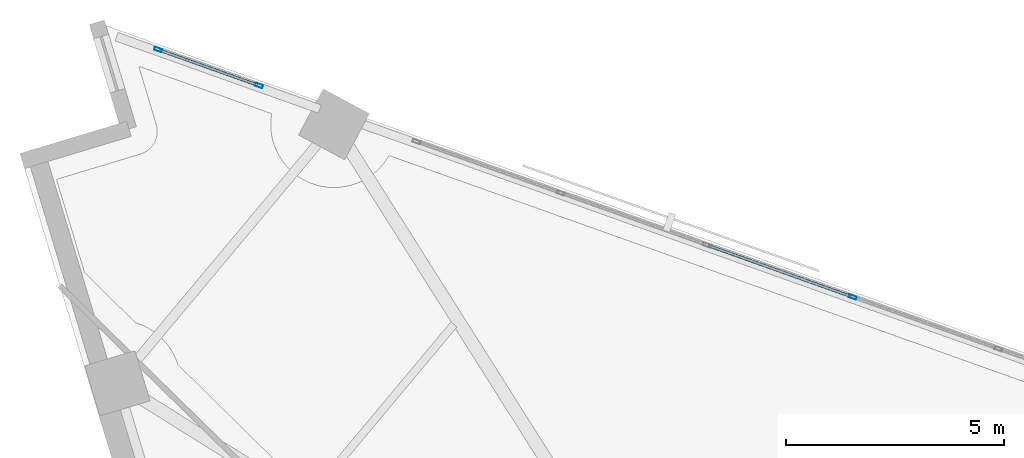
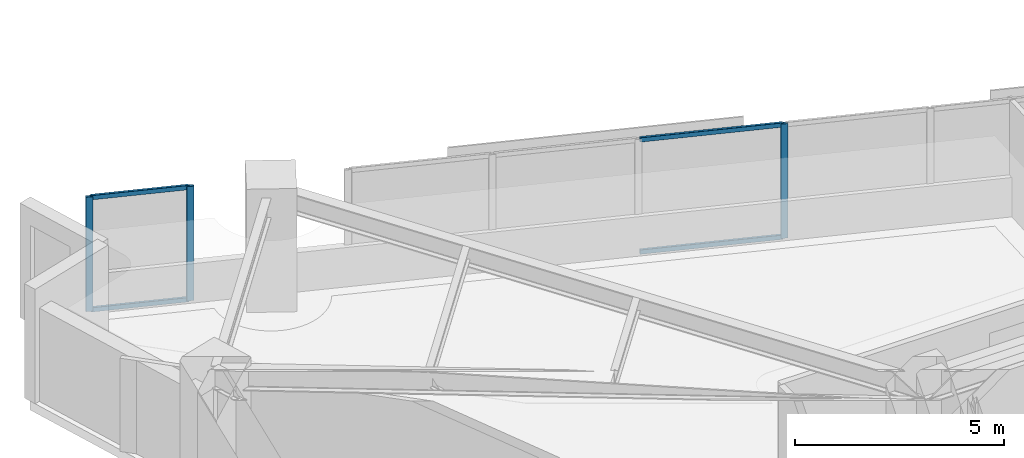
# One storey, part 7 of 17: 7 members, 2 elements without a shape of their own.
"""IFC4 building model written with IfcOpenShell, lengths in metres."""

from ifc_helpers import new_model, si_unit, direction, frame, origin, origin_2d, place, context, subcontext, project, spatial, hollow_rectangle, extrude, material, material_profile, profile_set, type_object, element, aggregate, save


model = new_model("IFC4")

# Units and contexts
model_context = context("Model", 3, precision=1e-05, world=origin(), true_north=direction((0.0, 1.0)))
body_context = subcontext(model_context, "Body", "Model", "MODEL_VIEW")
ifc_project = project(units=[si_unit("LENGTHUNIT", "METRE"), si_unit("AREAUNIT", "SQUARE_METRE"), si_unit("VOLUMEUNIT", "CUBIC_METRE"), si_unit("PLANEANGLEUNIT", "RADIAN"), si_unit("MASSUNIT", "GRAM", prefix="KILO")], contexts=[model_context])

# Site, building, storey
site_placement = place(None, origin())
site = spatial("IfcSite", under=ifc_project, at=site_placement, CompositionType="ELEMENT")
building_placement = place(site_placement, origin())
building = spatial("IfcBuilding", under=site, at=building_placement, Name="Narakoshi Arena Tower", CompositionType="ELEMENT")
storey_placement = place(building_placement, frame((0.0, 0.0, 139.5)))
storey = spatial("IfcBuildingStorey", under=building, at=storey_placement, Name="L37", CompositionType="ELEMENT", Elevation=139.5)

# Curtain wall, member
ifc_material = material(Name="Anodised bronze aluminium 6063-T6", Category="aluminium")
curtain_wall_type = type_object("IfcCurtainWallType", Name="CW-HYP-MID", PredefinedType="NOTDEFINED", material=ifc_material)
curtain_wall_1_placement = place(storey_placement, origin())
curtain_wall_1 = element("IfcCurtainWall", 1, at=curtain_wall_1_placement, inside=storey, type_object=curtain_wall_type, Name="L37 Folded Hypotenuse Curtain Wall 2-1", PredefinedType="NOTDEFINED")
ifc_material_profile_1 = material_profile(ifc_material, hollow_rectangle(XDim=0.074951171875, YDim=0.179931640625, WallThickness=0.00390625, OuterFilletRadius=0.0048828125, at=origin_2d()), Name="MUL180x75x4")
ifc_profile_set_1 = profile_set([ifc_material_profile_1], Name="Anodised bronze aluminium 6063-T6")
member_type_1 = type_object("IfcMemberType", Name="MEM-MUL-180", PredefinedType="MULLION", material=ifc_profile_set_1)
member_1_placement = place(storey_placement, frame((74.43701171875, 67.490966796875, 0.0), z_axis=(0.0, 0.0, 1.0), x_axis=(-0.335518297139, -0.94203368957, 0.0)))
member_1 = element("IfcMember", 2, at=member_1_placement, type_object=member_type_1, Name="CW-02 mullion 5", PredefinedType="MULLION", context=body_context, shape_type="SweptSolid", body=[
    extrude(hollow_rectangle(XDim=0.074951171875, YDim=0.179931640625, WallThickness=0.00390625, OuterFilletRadius=0.0048828125, at=origin_2d()), origin(), (0.0, 0.0, 1.0), 3.340087890625),
])

# Curtain wall, members
curtain_wall_2_placement = place(storey_placement, origin())
curtain_wall_2 = element("IfcCurtainWall", 3, at=curtain_wall_2_placement, inside=storey, type_object=curtain_wall_type, Name="L37 Folded Hypotenuse Curtain Wall 2-2", PredefinedType="NOTDEFINED")
member_2_placement = place(storey_placement, frame((60.826416015625, 72.33837890625, 0.0), z_axis=(0.0, 0.0, 1.0), x_axis=(-0.335541869571, -0.942025293591, 0.0)))
member_2 = element("IfcMember", 4, at=member_2_placement, type_object=member_type_1, Name="CW-02 mullion 1", PredefinedType="MULLION", context=body_context, shape_type="SweptSolid", body=[
    extrude(hollow_rectangle(XDim=0.074951171875, YDim=0.179931640625, WallThickness=0.00390625, OuterFilletRadius=0.0048828125, at=origin_2d()), origin(), (0.0, 0.0, 1.0), 3.340087890625),
])
member_3_placement = place(storey_placement, frame((58.515625, 73.16162109375, 0.0), z_axis=(0.0, 0.0, 1.0), x_axis=(-0.335541869571, -0.942025293591, 0.0)))
member_3 = element("IfcMember", 5, at=member_3_placement, type_object=member_type_1, Name="CW-02 mullion 2", PredefinedType="MULLION", context=body_context, shape_type="SweptSolid", body=[
    extrude(hollow_rectangle(XDim=0.074951171875, YDim=0.179931640625, WallThickness=0.00390625, OuterFilletRadius=0.0048828125, at=origin_2d()), origin(), (0.0, 0.0, 1.0), 3.340087890625),
])

# Member
ifc_material_profile_2 = material_profile(ifc_material, hollow_rectangle(XDim=0.06494140625, YDim=0.1298828125, WallThickness=0.00390625, OuterFilletRadius=0.0048828125, at=origin_2d()), Name="TRN130x65x4")
ifc_profile_set_2 = profile_set([ifc_material_profile_2], Name="Anodised bronze aluminium 6063-T6")
member_type_2 = type_object("IfcMemberType", Name="MEM-TRN-130", PredefinedType="USERDEFINED", material=ifc_profile_set_2)
member_4_placement = place(storey_placement, frame((74.401611328125, 67.50341796875, 0.032470703125), z_axis=(-0.942037165195, 0.335508538477, 0.0), x_axis=(-0.335508538477, -0.942037165195, 0.0)))
member_4 = element("IfcMember", 6, at=member_4_placement, type_object=member_type_2, Name="CW-02 transom 5.1", ObjectType="TRANSOM", PredefinedType="USERDEFINED", context=body_context, shape_type="SweptSolid", body=[
    extrude(hollow_rectangle(XDim=0.06494140625, YDim=0.1298828125, WallThickness=0.00390625, OuterFilletRadius=0.0048828125, at=origin_2d()), origin(), (0.0, 0.0, 1.0), 3.475341796875),
])

member_5_placement = place(storey_placement, frame((74.401611328125, 67.50341796875, 3.3076171875), z_axis=(-0.942037165195, 0.335508538477, 0.0), x_axis=(-0.335508538477, -0.942037165195, 0.0)))
member_5 = element("IfcMember", 7, at=member_5_placement, type_object=member_type_2, Name="CW-02 transom 5.2", ObjectType="TRANSOM", PredefinedType="USERDEFINED", context=body_context, shape_type="SweptSolid", body=[
    extrude(hollow_rectangle(XDim=0.06494140625, YDim=0.1298828125, WallThickness=0.00390625, OuterFilletRadius=0.0048828125, at=origin_2d()), origin(), (0.0, 0.0, 1.0), 3.475341796875),
])

aggregate(curtain_wall_1, [member_1, member_4, member_5])

member_6_placement = place(storey_placement, frame((60.791015625, 72.35107421875, 0.032470703125), z_axis=(-0.942027291531, 0.335536260351, 0.0), x_axis=(-0.335536260351, -0.942027291531, 0.0)))
member_6 = element("IfcMember", 8, at=member_6_placement, type_object=member_type_2, Name="CW-02 transom 1.1", ObjectType="TRANSOM", PredefinedType="USERDEFINED", context=body_context, shape_type="SweptSolid", body=[
    extrude(hollow_rectangle(XDim=0.06494140625, YDim=0.1298828125, WallThickness=0.00390625, OuterFilletRadius=0.0048828125, at=origin_2d()), origin(), (0.0, 0.0, 1.0), 2.3779296875),
])

member_7_placement = place(storey_placement, frame((60.791015625, 72.35107421875, 3.3076171875), z_axis=(-0.942027291531, 0.335536260351, 0.0), x_axis=(-0.335536260351, -0.942027291531, 0.0)))
member_7 = element("IfcMember", 9, at=member_7_placement, type_object=member_type_2, Name="CW-02 transom 1.2", ObjectType="TRANSOM", PredefinedType="USERDEFINED", context=body_context, shape_type="SweptSolid", body=[
    extrude(hollow_rectangle(XDim=0.06494140625, YDim=0.1298828125, WallThickness=0.00390625, OuterFilletRadius=0.0048828125, at=origin_2d()), origin(), (0.0, 0.0, 1.0), 2.3779296875),
])

aggregate(curtain_wall_2, [member_2, member_3, member_6, member_7])

save(model, "model.ifc")
